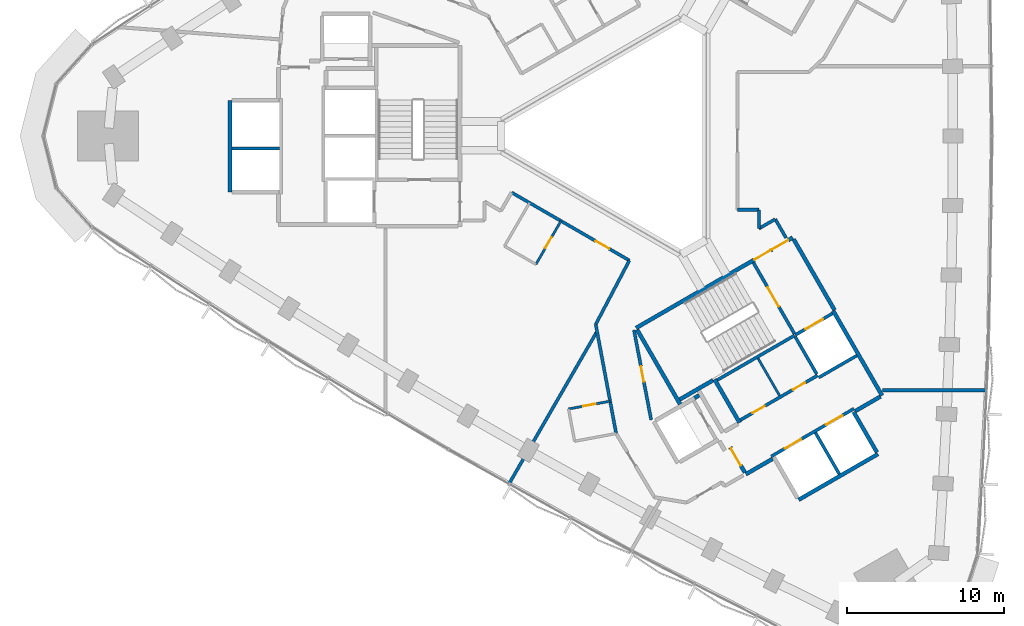
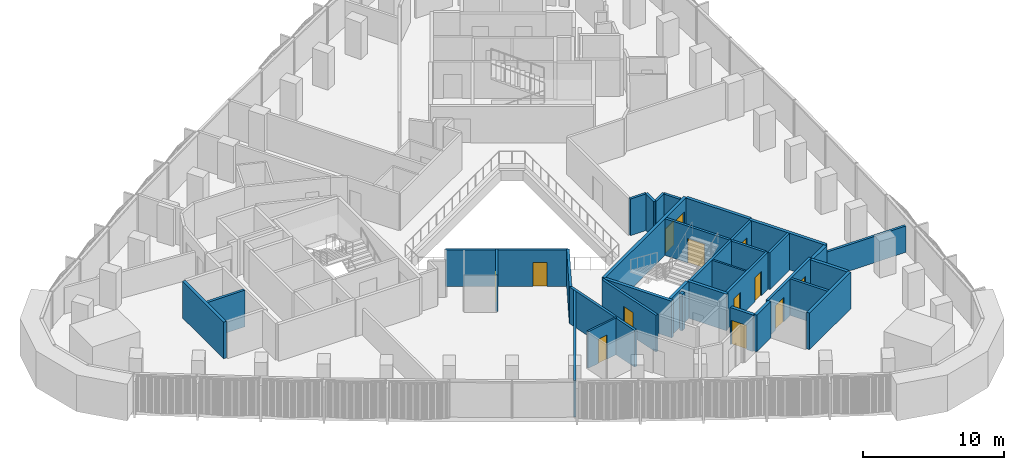
# One storey, part 8 of 15: 35 walls, 13 doors, 13 openings.
"""IFC4 building model written with IfcOpenShell, lengths in metres."""

from ifc_helpers import new_model, si_unit, direction, frame, frame_2d, origin, place, context, subcontext, project, spatial, rectangle, extrude, material, layer, layer_set, type_object, element, fill, save


model = new_model("IFC4")

# Units and contexts
model_context = context("Model", 3, precision=1e-05, world=origin(), true_north=direction((0.0, 1.0)))
body_context = subcontext(model_context, "Body", "Model", "MODEL_VIEW")
ifc_project = project(units=[si_unit("LENGTHUNIT", "METRE"), si_unit("AREAUNIT", "SQUARE_METRE"), si_unit("VOLUMEUNIT", "CUBIC_METRE"), si_unit("PLANEANGLEUNIT", "RADIAN"), si_unit("MASSUNIT", "GRAM", prefix="KILO")], contexts=[model_context])

# Site, building, storey
site_placement = place(None, origin())
site = spatial("IfcSite", under=ifc_project, at=site_placement, CompositionType="ELEMENT")
building_placement = place(site_placement, origin())
building = spatial("IfcBuilding", under=site, at=building_placement, Name="Tamra Quay Hotel Tower", CompositionType="ELEMENT")
storey_placement = place(building_placement, frame((0.0, 0.0, 108.199951171875)))
storey = spatial("IfcBuildingStorey", under=building, at=storey_placement, Name="L26", CompositionType="ELEMENT", Elevation=108.199951171875)

# Wall
ifc_material_1 = material(Name="Concrete M70", Category="concrete")
ifc_layer_1 = layer(ifc_material_1, 0.199951171875)
ifc_layer_set_1 = layer_set([ifc_layer_1], Name="Concrete M70 core wall 200")
wall_type_1 = type_object("IfcWallType", Name="Concrete M70 core wall 200", PredefinedType="SHEAR", material=ifc_layer_set_1)
wall_1_placement = place(storey_placement, frame((-22.36328125, -0.800048828125, 0.0), z_axis=(0.0, 0.0, 1.0), x_axis=(-1.0, 0.0, 0.0)))
element("IfcWall", 1, at=wall_1_placement, inside=storey, type_object=wall_type_1, Name="CW2", PredefinedType="SHEAR", context=body_context, shape_type="SweptSolid", body=[
    extrude(rectangle(XDim=3.048095703125, YDim=0.199951171875, at=frame_2d((1.52392578125, 0.0))), origin(), (0.0, 0.0, 1.0), 3.175048828125),
])

# Wall, openings, doors
wall_2_placement = place(storey_placement, frame((9.052490234375, -20.479736328125, 0.0), z_axis=(0.0, 0.0, 1.0), x_axis=(0.866030299012, 0.499991521122, 0.0)))
wall_2 = element("IfcWall", 2, at=wall_2_placement, inside=storey, type_object=wall_type_1, Name="CW2", PredefinedType="SHEAR", context=body_context, shape_type="SweptSolid", body=[
    extrude(rectangle(XDim=6.10009765625, YDim=0.199951171875, at=frame_2d((3.050048828125, 0.0))), origin(), (0.0, 0.0, 1.0), 3.175048828125),
])
opening_1_placement = place(wall_2_placement, frame((1.0, 0.0, 0.0)))
opening_1 = element("IfcOpeningElement", 3, at=opening_1_placement, cuts=wall_2, Name="Opening LD", PredefinedType="OPENING", context=body_context, shape_type="SweptSolid", body=[
    extrude(rectangle(XDim=1.199951171875, YDim=2.10009765625, at=frame_2d((0.60009765625, 1.050048828125))), frame((0.0, 0.10986328125, 0.0), z_axis=(0.0, -1.0, 0.0), x_axis=(1.0, 0.0, 0.0)), (0.0, 0.0, 1.0), 0.219970703125),
])
opening_2_placement = place(wall_2_placement, frame((4.05029296875, 0.0, 0.0)))
opening_2 = element("IfcOpeningElement", 4, at=opening_2_placement, cuts=wall_2, Name="Opening LD", PredefinedType="OPENING", context=body_context, shape_type="SweptSolid", body=[
    extrude(rectangle(XDim=1.199951171875, YDim=2.10009765625, at=frame_2d((0.60009765625, 1.050048828125))), frame((0.0, 0.10986328125, 0.0), z_axis=(0.0, -1.0, 0.0), x_axis=(1.0, 0.0, 0.0)), (0.0, 0.0, 1.0), 0.219970703125),
])
ifc_material_2 = material(Name="Landing door LD 1200 double door sliding")
door_type_1 = type_object("IfcDoorType", Name="Landing door LD 1200 double door sliding", OperationType="DOUBLE_DOOR_SLIDING", PredefinedType="DOOR", material=ifc_material_2)
door_1_placement = place(opening_1_placement, origin())
door_1 = element("IfcDoor", 5, at=door_1_placement, inside=storey, type_object=door_type_1, Name="LD", OperationType="DOUBLE_DOOR_SLIDING", OverallHeight=2.10009765625, OverallWidth=1.199951171875, PredefinedType="DOOR", context=body_context, shape_type="SweptSolid", body=[
    extrude(rectangle(XDim=1.199951171875, YDim=2.10009765625, at=frame_2d((0.60009765625, 1.050048828125))), frame((0.0, 0.02490234375, 0.0), z_axis=(0.0, -1.0, 0.0), x_axis=(1.0, 0.0, 0.0)), (0.0, 0.0, 1.0), 0.050048828125),
])
fill(opening_1, door_1)
door_2_placement = place(opening_2_placement, origin())
door_2 = element("IfcDoor", 6, at=door_2_placement, inside=storey, type_object=door_type_1, Name="LD", OperationType="DOUBLE_DOOR_SLIDING", OverallHeight=2.10009765625, OverallWidth=1.199951171875, PredefinedType="DOOR", context=body_context, shape_type="SweptSolid", body=[
    extrude(rectangle(XDim=1.199951171875, YDim=2.10009765625, at=frame_2d((0.60009765625, 1.050048828125))), frame((0.0, 0.02490234375, 0.0), z_axis=(0.0, -1.0, 0.0), x_axis=(1.0, 0.0, 0.0)), (0.0, 0.0, 1.0), 0.050048828125),
])
fill(opening_2, door_2)

# Wall
wall_3_placement = place(storey_placement, frame((10.537841796875, -12.751953125, 0.0), z_axis=(0.0, 0.0, 1.0), x_axis=(-0.866038630372, -0.499977090179, 0.0)))
element("IfcWall", 7, at=wall_3_placement, inside=storey, type_object=wall_type_1, Name="CW2", PredefinedType="SHEAR", context=body_context, shape_type="SweptSolid", body=[
    extrude(rectangle(XDim=5.698974609375, YDim=0.199951171875, at=frame_2d((2.849609375, 0.0))), origin(), (0.0, 0.0, 1.0), 3.175048828125),
])

# Wall, openings, doors
wall_4_placement = place(storey_placement, frame((7.0771484375, -18.156005859375, 0.0), z_axis=(0.0, 0.0, 1.0), x_axis=(0.866038630372, 0.499977090179, 0.0)))
wall_4 = element("IfcWall", 8, at=wall_4_placement, inside=storey, type_object=wall_type_1, Name="CW2", PredefinedType="SHEAR", context=body_context, shape_type="SweptSolid", body=[
    extrude(rectangle(XDim=5.698974609375, YDim=0.199951171875, at=frame_2d((2.849609375, 0.0))), origin(), (0.0, 0.0, 1.0), 3.175048828125),
])
opening_3_placement = place(wall_4_placement, frame((0.89892578125, 0.0, 0.0)))
opening_3 = element("IfcOpeningElement", 9, at=opening_3_placement, cuts=wall_4, Name="Opening D2", PredefinedType="OPENING", context=body_context, shape_type="SweptSolid", body=[
    extrude(rectangle(XDim=0.89990234375, YDim=2.10009765625, at=frame_2d((0.449951171875, 1.050048828125))), frame((0.0, 0.10986328125, 0.0), z_axis=(0.0, -1.0, 0.0), x_axis=(1.0, 0.0, 0.0)), (0.0, 0.0, 1.0), 0.219970703125),
])
opening_4_placement = place(wall_4_placement, frame((3.8740234375, 0.0, 0.0)))
opening_4 = element("IfcOpeningElement", 10, at=opening_4_placement, cuts=wall_4, Name="Opening D2", PredefinedType="OPENING", context=body_context, shape_type="SweptSolid", body=[
    extrude(rectangle(XDim=0.89990234375, YDim=2.10009765625, at=frame_2d((0.449951171875, 1.050048828125))), frame((0.0, 0.10986328125, 0.0), z_axis=(0.0, -1.0, 0.0), x_axis=(1.0, 0.0, 0.0)), (0.0, 0.0, 1.0), 0.219970703125),
])
ifc_material_3 = material(Name="Core door D2 900x2100 LH")
door_type_2 = type_object("IfcDoorType", Name="Core door D2 900x2100 LH", OperationType="NOTDEFINED", PredefinedType="DOOR", material=ifc_material_3)
door_3_placement = place(opening_3_placement, origin())
door_3 = element("IfcDoor", 11, at=door_3_placement, inside=storey, type_object=door_type_2, Name="D2", OperationType="SINGLE_SWING_LEFT", OverallHeight=2.10009765625, OverallWidth=0.89990234375, PredefinedType="DOOR", context=body_context, shape_type="SweptSolid", body=[
    extrude(rectangle(XDim=0.89990234375, YDim=2.10009765625, at=frame_2d((0.449951171875, 1.050048828125))), frame((0.0, 0.02490234375, 0.0), z_axis=(0.0, -1.0, 0.0), x_axis=(1.0, 0.0, 0.0)), (0.0, 0.0, 1.0), 0.050048828125),
])
fill(opening_3, door_3)
ifc_material_4 = material(Name="Core door D2 900x2100 RH")
door_type_3 = type_object("IfcDoorType", Name="Core door D2 900x2100 RH", OperationType="NOTDEFINED", PredefinedType="DOOR", material=ifc_material_4)
door_4_placement = place(opening_4_placement, origin())
door_4 = element("IfcDoor", 12, at=door_4_placement, inside=storey, type_object=door_type_3, Name="D2", OperationType="SINGLE_SWING_RIGHT", OverallHeight=2.10009765625, OverallWidth=0.89990234375, PredefinedType="DOOR", context=body_context, shape_type="SweptSolid", body=[
    extrude(rectangle(XDim=0.89990234375, YDim=2.10009765625, at=frame_2d((0.449951171875, 1.050048828125))), frame((0.0, 0.02490234375, 0.0), z_axis=(0.0, -1.0, 0.0), x_axis=(1.0, 0.0, 0.0)), (0.0, 0.0, 1.0), 0.050048828125),
])
fill(opening_4, door_4)

# Wall, opening, door
wall_5_placement = place(storey_placement, frame((7.906494140625, -8.094482421875, 0.0), z_axis=(0.0, 0.0, 1.0), x_axis=(0.500024287448, -0.866011380966, 0.0)))
wall_5 = element("IfcWall", 13, at=wall_5_placement, inside=storey, type_object=wall_type_1, Name="CW2", PredefinedType="SHEAR", context=body_context, shape_type="SweptSolid", body=[
    extrude(rectangle(XDim=5.251220703125, YDim=0.199951171875, at=frame_2d((2.62548828125, 0.0))), origin(), (0.0, 0.0, 1.0), 3.175048828125),
])
opening_5_placement = place(wall_5_placement, frame((1.84912109375, 0.0, 0.0)))
opening_5 = element("IfcOpeningElement", 14, at=opening_5_placement, cuts=wall_5, Name="Opening FD2", PredefinedType="OPENING", context=body_context, shape_type="SweptSolid", body=[
    extrude(rectangle(XDim=1.39990234375, YDim=2.10009765625, at=frame_2d((0.699951171875, 1.050048828125))), frame((0.0, 0.10986328125, 0.0), z_axis=(0.0, -1.0, 0.0), x_axis=(1.0, 0.0, 0.0)), (0.0, 0.0, 1.0), 0.219970703125),
])
ifc_material_5 = material(Name="Core door FD2 1400x2100 RH")
door_type_4 = type_object("IfcDoorType", Name="Core door FD2 1400x2100 RH", OperationType="NOTDEFINED", PredefinedType="DOOR", material=ifc_material_5)
door_5_placement = place(opening_5_placement, origin())
door_5 = element("IfcDoor", 15, at=door_5_placement, inside=storey, type_object=door_type_4, Name="FD2", OperationType="SINGLE_SWING_RIGHT", OverallHeight=2.10009765625, OverallWidth=1.39990234375, PredefinedType="DOOR", context=body_context, shape_type="SweptSolid", body=[
    extrude(rectangle(XDim=1.39990234375, YDim=2.10009765625, at=frame_2d((0.699951171875, 1.050048828125))), frame((0.0, 0.02490234375, 0.0), z_axis=(0.0, -1.0, 0.0), x_axis=(1.0, 0.0, 0.0)), (0.0, 0.0, 1.0), 0.050048828125),
])
fill(opening_5, door_5)

# Walls
wall_6_placement = place(storey_placement, frame((11.87451171875, -18.967041015625, 0.0), z_axis=(0.0, 0.0, 1.0), x_axis=(0.49998131003, -0.866036194175, 0.0)))
element("IfcWall", 16, at=wall_6_placement, inside=storey, type_object=wall_type_1, Name="CW2", PredefinedType="SHEAR", context=body_context, shape_type="SweptSolid", body=[
    extrude(rectangle(XDim=3.0478515625, YDim=0.199951171875, at=frame_2d((1.52392578125, 0.0))), origin(), (0.0, 0.0, 1.0), 3.175048828125),
])
wall_7_placement = place(storey_placement, frame((11.962646484375, -15.219970703125, 0.0), z_axis=(0.0, 0.0, 1.0), x_axis=(-0.500034990121, 0.866005201286, 0.0)))
element("IfcWall", 17, at=wall_7_placement, inside=storey, type_object=wall_type_1, Name="CW2", PredefinedType="SHEAR", context=body_context, shape_type="SweptSolid", body=[
    extrude(rectangle(XDim=2.749755859375, YDim=0.199951171875, at=frame_2d((1.375, 0.0))), origin(), (0.0, 0.0, 1.0), 3.175048828125),
])

# Wall, opening, door
wall_8_placement = place(storey_placement, frame((10.587158203125, -12.72314453125, 0.0), z_axis=(0.0, 0.0, 1.0), x_axis=(0.866037306777, 0.499979382845, 0.0)))
wall_8 = element("IfcWall", 18, at=wall_8_placement, inside=storey, type_object=wall_type_1, Name="CW2", PredefinedType="SHEAR", context=body_context, shape_type="SweptSolid", body=[
    extrude(rectangle(XDim=2.74169921875, YDim=0.199951171875, at=frame_2d((1.370849609375, 0.0))), origin(), (0.0, 0.0, 1.0), 3.175048828125),
])
opening_6_placement = place(wall_8_placement, frame((0.742919921875, 0.0, 0.0)))
opening_6 = element("IfcOpeningElement", 19, at=opening_6_placement, cuts=wall_8, Name="Opening LD", PredefinedType="OPENING", context=body_context, shape_type="SweptSolid", body=[
    extrude(rectangle(XDim=1.300048828125, YDim=2.10009765625, at=frame_2d((0.64990234375, 1.050048828125))), frame((0.0, 0.10986328125, 0.0), z_axis=(0.0, -1.0, 0.0), x_axis=(1.0, 0.0, 0.0)), (0.0, 0.0, 1.0), 0.219970703125),
])
ifc_material_6 = material(Name="Landing door LD 1300 sliding to right")
door_type_5 = type_object("IfcDoorType", Name="Landing door LD 1300 sliding to right", OperationType="NOTDEFINED", PredefinedType="DOOR", material=ifc_material_6)
door_6_placement = place(opening_6_placement, origin())
door_6 = element("IfcDoor", 20, at=door_6_placement, inside=storey, type_object=door_type_5, Name="LD", OperationType="SLIDING_TO_RIGHT", OverallHeight=2.10009765625, OverallWidth=1.300048828125, PredefinedType="DOOR", context=body_context, shape_type="SweptSolid", body=[
    extrude(rectangle(XDim=1.300048828125, YDim=2.10009765625, at=frame_2d((0.64990234375, 1.050048828125))), frame((0.0, 0.02490234375, 0.0), z_axis=(0.0, -1.0, 0.0), x_axis=(1.0, 0.0, 0.0)), (0.0, 0.0, 1.0), 0.050048828125),
])
fill(opening_6, door_6)

# Walls
wall_9_placement = place(storey_placement, frame((14.51171875, -14.037109375, 0.0), z_axis=(0.0, 0.0, 1.0), x_axis=(-0.866044696403, -0.499966582715, 0.0)))
element("IfcWall", 21, at=wall_9_placement, inside=storey, type_object=wall_type_1, Name="CW2", PredefinedType="SHEAR", context=body_context, shape_type="SweptSolid", body=[
    extrude(rectangle(XDim=2.799072265625, YDim=0.199951171875, at=frame_2d((1.3994140625, 0.0))), origin(), (0.0, 0.0, 1.0), 3.175048828125),
])
ifc_layer_2 = layer(ifc_material_1, 0.25)
ifc_layer_set_2 = layer_set([ifc_layer_2], Name="Concrete M70 core wall 250")
wall_type_2 = type_object("IfcWallType", Name="Concrete M70 core wall 250", PredefinedType="SHEAR", material=ifc_layer_set_2)
wall_10_placement = place(storey_placement, frame((-25.537353515625, -3.574951171875, 0.0), z_axis=(0.0, 0.0, 1.0), x_axis=(0.0, 1.0, 0.0)))
element("IfcWall", 22, at=wall_10_placement, inside=storey, type_object=wall_type_2, Name="CW1", PredefinedType="SHEAR", context=body_context, shape_type="SweptSolid", body=[
    extrude(rectangle(XDim=5.849853515625, YDim=0.25, at=frame_2d((2.9248046875, 0.0))), origin(), (0.0, 0.0, 1.0), 3.175048828125),
])

# Wall, openings, doors
wall_11_placement = place(storey_placement, frame((0.417236328125, -12.27294921875, 0.0), z_axis=(0.0, 0.0, 1.0), x_axis=(0.866021906294, 0.500006057782, 0.0)))
wall_11 = element("IfcWall", 23, at=wall_11_placement, inside=storey, type_object=wall_type_2, Name="CW1", PredefinedType="SHEAR", context=body_context, shape_type="SweptSolid", body=[
    extrude(rectangle(XDim=11.550048828125, YDim=0.25, at=frame_2d((5.77490234375, 0.0))), origin(), (0.0, 0.0, 1.0), 3.175048828125),
])
opening_7_placement = place(wall_11_placement, frame((10.024658203125, 0.0, 0.0)))
opening_7 = element("IfcOpeningElement", 24, at=opening_7_placement, cuts=wall_11, Name="Opening FD1", PredefinedType="OPENING", context=body_context, shape_type="SweptSolid", body=[
    extrude(rectangle(XDim=1.199951171875, YDim=2.10009765625, at=frame_2d((0.60009765625, 1.050048828125))), frame((0.0, 0.135009765625, 0.0), z_axis=(0.0, -1.0, 0.0), x_axis=(1.0, 0.0, 0.0)), (0.0, 0.0, 1.0), 0.27001953125),
])
opening_8_placement = place(wall_11_placement, frame((8.724609375, 0.0, 0.0)))
opening_8 = element("IfcOpeningElement", 25, at=opening_8_placement, cuts=wall_11, Name="Opening FD1", PredefinedType="OPENING", context=body_context, shape_type="SweptSolid", body=[
    extrude(rectangle(XDim=1.199951171875, YDim=2.10009765625, at=frame_2d((0.60009765625, 1.050048828125))), frame((0.0, 0.135009765625, 0.0), z_axis=(0.0, -1.0, 0.0), x_axis=(1.0, 0.0, 0.0)), (0.0, 0.0, 1.0), 0.27001953125),
])
ifc_material_7 = material(Name="Core door FD1 1200x2100 LH")
door_type_6 = type_object("IfcDoorType", Name="Core door FD1 1200x2100 LH", OperationType="NOTDEFINED", PredefinedType="DOOR", material=ifc_material_7)
door_7_placement = place(opening_7_placement, origin())
door_7 = element("IfcDoor", 26, at=door_7_placement, inside=storey, type_object=door_type_6, Name="FD1", OperationType="SINGLE_SWING_LEFT", OverallHeight=2.10009765625, OverallWidth=1.199951171875, PredefinedType="DOOR", context=body_context, shape_type="SweptSolid", body=[
    extrude(rectangle(XDim=1.199951171875, YDim=2.10009765625, at=frame_2d((0.60009765625, 1.050048828125))), frame((0.0, 0.02490234375, 0.0), z_axis=(0.0, -1.0, 0.0), x_axis=(1.0, 0.0, 0.0)), (0.0, 0.0, 1.0), 0.050048828125),
])
fill(opening_7, door_7)
ifc_material_8 = material(Name="Core door FD1 1200x2100 RH")
door_type_7 = type_object("IfcDoorType", Name="Core door FD1 1200x2100 RH", OperationType="NOTDEFINED", PredefinedType="DOOR", material=ifc_material_8)
door_8_placement = place(opening_8_placement, origin())
door_8 = element("IfcDoor", 27, at=door_8_placement, inside=storey, type_object=door_type_7, Name="FD1", OperationType="SINGLE_SWING_RIGHT", OverallHeight=2.10009765625, OverallWidth=1.199951171875, PredefinedType="DOOR", context=body_context, shape_type="SweptSolid", body=[
    extrude(rectangle(XDim=1.199951171875, YDim=2.10009765625, at=frame_2d((0.60009765625, 1.050048828125))), frame((0.0, 0.02490234375, 0.0), z_axis=(0.0, -1.0, 0.0), x_axis=(1.0, 0.0, 0.0)), (0.0, 0.0, 1.0), 0.050048828125),
])
fill(opening_8, door_8)

# Walls
wall_12_placement = place(storey_placement, frame((13.00830078125, -11.18115234375, 0.0), z_axis=(0.0, 0.0, 1.0), x_axis=(0.500004234368, -0.866022959057, 0.0)))
element("IfcWall", 28, at=wall_12_placement, inside=storey, type_object=wall_type_2, Name="CW1", PredefinedType="SHEAR", context=body_context, shape_type="SweptSolid", body=[
    extrude(rectangle(XDim=6.25, YDim=0.25, at=frame_2d((3.125, 0.0))), origin(), (0.0, 0.0, 1.0), 3.175048828125),
])
wall_13_placement = place(storey_placement, frame((15.86474609375, -20.328369140625, 0.0), z_axis=(0.0, 0.0, 1.0), x_axis=(-0.86602852612, -0.499994591916, 0.0)))
element("IfcWall", 29, at=wall_13_placement, inside=storey, type_object=wall_type_2, Name="CW1", PredefinedType="SHEAR", context=body_context, shape_type="SweptSolid", body=[
    extrude(rectangle(XDim=5.85009765625, YDim=0.25, at=frame_2d((2.925048828125, 0.0))), origin(), (0.0, 0.0, 1.0), 3.175048828125),
])
wall_14_placement = place(storey_placement, frame((3.23486328125, -17.15283203125, 0.0), z_axis=(0.0, 0.0, 1.0), x_axis=(-0.500008851346, 0.866020293397, 0.0)))
element("IfcWall", 30, at=wall_14_placement, inside=storey, type_object=wall_type_2, Name="CW1", PredefinedType="SHEAR", context=body_context, shape_type="SweptSolid", body=[
    extrude(rectangle(XDim=5.509765625, YDim=0.25, at=frame_2d((2.7548828125, 0.0))), origin(), (0.0, 0.0, 1.0), 3.175048828125),
])
wall_15_placement = place(storey_placement, frame((10.482666015625, -6.6064453125, 0.0), z_axis=(0.0, 0.0, 1.0), x_axis=(0.49999885962, -0.866026062182, 0.0)))
element("IfcWall", 31, at=wall_15_placement, inside=storey, type_object=wall_type_2, Name="CW1", PredefinedType="SHEAR", context=body_context, shape_type="SweptSolid", body=[
    extrude(rectangle(XDim=5.224609375, YDim=0.25, at=frame_2d((2.6123046875, 0.0))), origin(), (0.0, 0.0, 1.0), 3.175048828125),
])
wall_16_placement = place(storey_placement, frame((7.030517578125, -18.327392578125, 0.0), z_axis=(0.0, 0.0, 1.0), x_axis=(-0.499971222258, 0.866042017984, 0.0)))
element("IfcWall", 32, at=wall_16_placement, inside=storey, type_object=wall_type_2, Name="CW1", PredefinedType="SHEAR", context=body_context, shape_type="SweptSolid", body=[
    extrude(rectangle(XDim=3.199951171875, YDim=0.25, at=frame_2d((1.60009765625, 0.0))), origin(), (0.0, 0.0, 1.0), 3.175048828125),
])
wall_17_placement = place(storey_placement, frame((14.314697265625, -17.643798828125, 0.0), z_axis=(0.0, 0.0, 1.0), x_axis=(0.500023226632, -0.866011993467, 0.0)))
element("IfcWall", 33, at=wall_17_placement, inside=storey, type_object=wall_type_2, Name="CW1", PredefinedType="SHEAR", context=body_context, shape_type="SweptSolid", body=[
    extrude(rectangle(XDim=2.974365234375, YDim=0.25, at=frame_2d((1.4873046875, 0.0))), origin(), (0.0, 0.0, 1.0), 3.175048828125),
])
wall_18_placement = place(storey_placement, frame((5.322021484375, -15.618896484375, 0.0), z_axis=(0.0, 0.0, 1.0), x_axis=(-0.866026229868, -0.499998569178, 0.0)))
element("IfcWall", 34, at=wall_18_placement, inside=storey, type_object=wall_type_2, Name="CW1", PredefinedType="SHEAR", context=body_context, shape_type="SweptSolid", body=[
    extrude(rectangle(XDim=2.44921875, YDim=0.25, at=frame_2d((1.224609375, 0.0))), origin(), (0.0, 0.0, 1.0), 3.175048828125),
])
wall_19_placement = place(storey_placement, frame((9.139892578125, -20.63134765625, 0.0), z_axis=(0.0, 0.0, 1.0), x_axis=(-0.866043531843, -0.499968599967, 0.0)))
element("IfcWall", 35, at=wall_19_placement, inside=storey, type_object=wall_type_2, Name="CW1", PredefinedType="SHEAR", context=body_context, shape_type="SweptSolid", body=[
    extrude(rectangle(XDim=1.974853515625, YDim=0.25, at=frame_2d((0.9873046875, 0.0))), origin(), (0.0, 0.0, 1.0), 3.175048828125),
])
wall_20_placement = place(storey_placement, frame((16.024658203125, -16.656494140625, 0.0), z_axis=(0.0, 0.0, 1.0), x_axis=(-0.866016279763, -0.500015802937, 0.0)))
element("IfcWall", 36, at=wall_20_placement, inside=storey, type_object=wall_type_2, Name="CW1", PredefinedType="SHEAR", context=body_context, shape_type="SweptSolid", body=[
    extrude(rectangle(XDim=1.84912109375, YDim=0.25, at=frame_2d((0.924560546875, 0.0))), origin(), (0.0, 0.0, 1.0), 3.175048828125),
])

# Wall, opening, door
wall_21_placement = place(storey_placement, frame((7.3671875, -21.51025390625, 0.0), z_axis=(0.0, 0.0, 1.0), x_axis=(-0.499983108224, 0.866035156036, 0.0)))
wall_21 = element("IfcWall", 37, at=wall_21_placement, inside=storey, type_object=wall_type_2, Name="CW1", PredefinedType="SHEAR", context=body_context, shape_type="SweptSolid", body=[
    extrude(rectangle(XDim=1.86474609375, YDim=0.25, at=frame_2d((0.932373046875, 0.0))), origin(), (0.0, 0.0, 1.0), 3.175048828125),
])
opening_9_placement = place(wall_21_placement, frame((0.53466796875, 0.0, 0.0)))
opening_9 = element("IfcOpeningElement", 38, at=opening_9_placement, cuts=wall_21, Name="Opening FD3", PredefinedType="OPENING", context=body_context, shape_type="SweptSolid", body=[
    extrude(rectangle(XDim=1.25, YDim=2.10009765625, at=frame_2d((0.625, 1.050048828125))), frame((0.0, 0.135009765625, 0.0), z_axis=(0.0, -1.0, 0.0), x_axis=(1.0, 0.0, 0.0)), (0.0, 0.0, 1.0), 0.27001953125),
])
ifc_material_9 = material(Name="Core door FD3 1250x2100 LH")
door_type_8 = type_object("IfcDoorType", Name="Core door FD3 1250x2100 LH", OperationType="NOTDEFINED", PredefinedType="DOOR", material=ifc_material_9)
door_9_placement = place(opening_9_placement, origin())
door_9 = element("IfcDoor", 39, at=door_9_placement, inside=storey, type_object=door_type_8, Name="FD3", OperationType="SINGLE_SWING_LEFT", OverallHeight=2.10009765625, OverallWidth=1.25, PredefinedType="DOOR", context=body_context, shape_type="SweptSolid", body=[
    extrude(rectangle(XDim=1.25, YDim=2.10009765625, at=frame_2d((0.625, 1.050048828125))), frame((0.0, 0.02490234375, 0.0), z_axis=(0.0, -1.0, 0.0), x_axis=(1.0, 0.0, 0.0)), (0.0, 0.0, 1.0), 0.050048828125),
])
fill(opening_9, door_9)

# Walls
wall_22_placement = place(storey_placement, frame((4.144775390625, -16.748779296875, 0.0), z_axis=(0.0, 0.0, 1.0), x_axis=(0.866185586049, 0.49972245349, 0.0)))
element("IfcWall", 40, at=wall_22_placement, inside=storey, type_object=wall_type_2, Name="CW1", PredefinedType="SHEAR", context=body_context, shape_type="SweptSolid", body=[
    extrude(rectangle(XDim=0.344482421875, YDim=0.25, at=frame_2d((0.17236328125, 0.0))), origin(), (0.0, 0.0, 1.0), 3.175048828125),
])
ifc_material_10 = material(Name="Blockwork", Category="masonry")
ifc_layer_3 = layer(ifc_material_10, 0.14990234375)
ifc_layer_set_3 = layer_set([ifc_layer_3], Name="Core partition block 150")
wall_type_3 = type_object("IfcWallType", Name="Core partition block 150", PredefinedType="PARTITIONING", material=ifc_layer_set_3)
wall_23_placement = place(storey_placement, frame((8.20654296875, -14.214111328125, 0.0), z_axis=(0.0, 0.0, 1.0), x_axis=(0.50002746344, -0.86600954718, 0.0)))
element("IfcWall", 41, at=wall_23_placement, inside=storey, type_object=wall_type_3, Name="CP1", PredefinedType="PARTITIONING", context=body_context, shape_type="SweptSolid", body=[
    extrude(rectangle(XDim=2.748291015625, YDim=0.14990234375, at=frame_2d((1.3740234375, 0.0))), origin(), (0.0, 0.0, 1.0), 3.175048828125),
])

# Wall, opening, door
ifc_material_11 = material(Name="Partition corridor wall")
ifc_layer_4 = layer(ifc_material_11, 0.199951171875)
ifc_layer_set_4 = layer_set([ifc_layer_4], Name="Partition corridor wall")
wall_type_4 = type_object("IfcWallType", Name="Partition corridor wall", PredefinedType="PARTITIONING", material=ifc_layer_set_4)
wall_24_placement = place(storey_placement, frame((-7.539306640625, -3.61572265625, 0.0), z_axis=(0.0, 0.0, 1.0), x_axis=(0.866101372471, -0.499868395285, 0.0)))
wall_24 = element("IfcWall", 42, at=wall_24_placement, inside=storey, type_object=wall_type_4, Name="W-C", PredefinedType="PARTITIONING", context=body_context, shape_type="SweptSolid", body=[
    extrude(rectangle(XDim=8.688720703125, YDim=0.199951171875, at=frame_2d((4.34423828125, 0.0))), origin(), (0.0, 0.0, 1.0), 3.175048828125),
])
opening_10_placement = place(wall_24_placement, frame((6.203125, 0.0, 0.0)))
opening_10 = element("IfcOpeningElement", 43, at=opening_10_placement, cuts=wall_24, Name="Opening L26-D013", PredefinedType="OPENING", context=body_context, shape_type="SweptSolid", body=[
    extrude(rectangle(XDim=1.0, YDim=2.10009765625, at=frame_2d((0.5, 1.050048828125))), frame((0.0, 0.10986328125, 0.0), z_axis=(0.0, -1.0, 0.0), x_axis=(1.0, 0.0, 0.0)), (0.0, 0.0, 1.0), 0.219970703125),
])
ifc_material_12 = material(Name="Door guest room 1000x2100")
door_type_9 = type_object("IfcDoorType", Name="Door guest room 1000x2100", OperationType="NOTDEFINED", PredefinedType="DOOR", material=ifc_material_12)
door_10_placement = place(opening_10_placement, frame((1.0, 0.0, 0.0), z_axis=(0.0, 0.0, 1.0), x_axis=(-1.0, 0.0, 0.0)))
door_10 = element("IfcDoor", 44, at=door_10_placement, inside=storey, type_object=door_type_9, Name="L26-D013", OperationType="SINGLE_SWING_LEFT", OverallHeight=2.10009765625, OverallWidth=1.0, PredefinedType="DOOR", context=body_context, shape_type="SweptSolid", body=[
    extrude(rectangle(XDim=1.0, YDim=2.10009765625, at=frame_2d((0.5, 1.050048828125))), frame((0.0, 0.02490234375, 0.0), z_axis=(0.0, -1.0, 0.0), x_axis=(1.0, 0.0, 0.0)), (0.0, 0.0, 1.0), 0.050048828125),
])
fill(opening_10, door_10)

# Walls
wall_25_placement = place(storey_placement, frame((-2.162109375, -12.0419921875, 0.0), z_axis=(0.0, 0.0, 1.0), x_axis=(0.183916574427, -0.982941856699, 0.0)))
element("IfcWall", 45, at=wall_25_placement, inside=storey, type_object=wall_type_4, Name="W-C", PredefinedType="PARTITIONING", context=body_context, shape_type="SweptSolid", body=[
    extrude(rectangle(XDim=7.093994140625, YDim=0.199951171875, at=frame_2d((3.546875, 0.0))), origin(), (0.0, 0.0, 1.0), 3.175048828125),
])
wall_26_placement = place(storey_placement, frame((-2.162109375, -12.041015625, 0.0), z_axis=(0.0, 0.0, 1.0), x_axis=(0.465704986205, 0.884940035157, 0.0)))
element("IfcWall", 46, at=wall_26_placement, inside=storey, type_object=wall_type_4, Name="W-C", PredefinedType="PARTITIONING", context=body_context, shape_type="SweptSolid", body=[
    extrude(rectangle(XDim=4.61279296875, YDim=0.199951171875, at=frame_2d((2.306396484375, 0.0))), origin(), (0.0, 0.0, 1.0), 3.175048828125),
])

# Wall, opening, door
wall_27_placement = place(storey_placement, frame((0.28076171875, -12.40625, 0.0), z_axis=(0.0, 0.0, 1.0), x_axis=(0.187814940093, -0.982204433037, 0.0)))
wall_27 = element("IfcWall", 47, at=wall_27_placement, inside=storey, type_object=wall_type_4, Name="W-C", PredefinedType="PARTITIONING", context=body_context, shape_type="SweptSolid", body=[
    extrude(rectangle(XDim=5.841796875, YDim=0.199951171875, at=frame_2d((2.9208984375, 0.0))), origin(), (0.0, 0.0, 1.0), 3.175048828125),
])
opening_11_placement = place(wall_27_placement, frame((2.36328125, 0.0, 0.0)))
opening_11 = element("IfcOpeningElement", 48, at=opening_11_placement, cuts=wall_27, Name="Opening L26-D015", PredefinedType="OPENING", context=body_context, shape_type="SweptSolid", body=[
    extrude(rectangle(XDim=1.0, YDim=2.10009765625, at=frame_2d((0.5, 1.050048828125))), frame((0.0, 0.10986328125, 0.0), z_axis=(0.0, -1.0, 0.0), x_axis=(1.0, 0.0, 0.0)), (0.0, 0.0, 1.0), 0.219970703125),
])
door_11_placement = place(opening_11_placement, origin())
door_11 = element("IfcDoor", 49, at=door_11_placement, inside=storey, type_object=door_type_9, Name="L26-D015", OperationType="SINGLE_SWING_LEFT", OverallHeight=2.10009765625, OverallWidth=1.0, PredefinedType="DOOR", context=body_context, shape_type="SweptSolid", body=[
    extrude(rectangle(XDim=1.0, YDim=2.10009765625, at=frame_2d((0.5, 1.050048828125))), frame((0.0, 0.02490234375, 0.0), z_axis=(0.0, -1.0, 0.0), x_axis=(1.0, 0.0, 0.0)), (0.0, 0.0, 1.0), 0.050048828125),
])
fill(opening_11, door_11)

# Walls
wall_28_placement = place(storey_placement, frame((6.89990234375, -4.720947265625, 0.0), z_axis=(0.0, 0.0, 1.0), x_axis=(1.0, 0.0, 0.0)))
element("IfcWall", 50, at=wall_28_placement, inside=storey, type_object=wall_type_4, Name="W-C", PredefinedType="PARTITIONING", context=body_context, shape_type="SweptSolid", body=[
    extrude(rectangle(XDim=1.3681640625, YDim=0.199951171875, at=frame_2d((0.68408203125, 0.0))), origin(), (0.0, 0.0, 1.0), 3.175048828125),
])
wall_29_placement = place(storey_placement, frame((8.26806640625, -5.9208984375, 0.0), z_axis=(0.0, 0.0, 1.0), x_axis=(0.0, 1.0, 0.0)))
element("IfcWall", 51, at=wall_29_placement, inside=storey, type_object=wall_type_4, Name="W-C", PredefinedType="PARTITIONING", context=body_context, shape_type="SweptSolid", body=[
    extrude(rectangle(XDim=1.199951171875, YDim=0.199951171875, at=frame_2d((0.60009765625, 0.0))), origin(), (0.0, 0.0, 1.0), 3.175048828125),
])
wall_30_placement = place(storey_placement, frame((8.26806640625, -5.9208984375, 0.0), z_axis=(0.0, 0.0, 1.0), x_axis=(0.866344856625, 0.499446282797, 0.0)))
element("IfcWall", 52, at=wall_30_placement, inside=storey, type_object=wall_type_4, Name="W-C", PredefinedType="PARTITIONING", context=body_context, shape_type="SweptSolid", body=[
    extrude(rectangle(XDim=1.198974609375, YDim=0.199951171875, at=frame_2d((0.599609375, 0.0))), origin(), (0.0, 0.0, 1.0), 3.175048828125),
])
wall_31_placement = place(storey_placement, frame((9.306884765625, -5.322021484375, 0.0), z_axis=(0.0, 0.0, 1.0), x_axis=(0.500295157811, -0.865854927266, 0.0)))
element("IfcWall", 53, at=wall_31_placement, inside=storey, type_object=wall_type_4, Name="W-C", PredefinedType="PARTITIONING", context=body_context, shape_type="SweptSolid", body=[
    extrude(rectangle(XDim=1.389892578125, YDim=0.199951171875, at=frame_2d((0.69482421875, 0.0))), origin(), (0.0, 0.0, 1.0), 3.175048828125),
])

# Wall, opening, door
ifc_material_13 = material(Name="Partition en-suite wall")
ifc_layer_5 = layer(ifc_material_13, 0.14990234375)
ifc_layer_set_5 = layer_set([ifc_layer_5], Name="Partition en-suite wall")
wall_type_5 = type_object("IfcWallType", Name="Partition en-suite wall", PredefinedType="PARTITIONING", material=ifc_layer_set_5)
wall_32_placement = place(storey_placement, frame((-5.97998046875, -8.2041015625, 0.0), z_axis=(0.0, 0.0, 1.0), x_axis=(0.499554641592, 0.866282378941, 0.0)))
wall_32 = element("IfcWall", 54, at=wall_32_placement, inside=storey, type_object=wall_type_5, Name="W-E", PredefinedType="PARTITIONING", context=body_context, shape_type="SweptSolid", body=[
    extrude(rectangle(XDim=3.19091796875, YDim=0.14990234375, at=frame_2d((1.595458984375, 0.0))), origin(), (0.0, 0.0, 1.0), 3.175048828125),
])
opening_12_placement = place(wall_32_placement, frame((1.195068359375, 0.0, 0.0)))
opening_12 = element("IfcOpeningElement", 55, at=opening_12_placement, cuts=wall_32, Name="Opening L26-D014", PredefinedType="OPENING", context=body_context, shape_type="SweptSolid", body=[
    extrude(rectangle(XDim=0.800048828125, YDim=2.10009765625, at=frame_2d((0.39990234375, 1.050048828125))), frame((0.0, 0.0849609375, 0.0), z_axis=(0.0, -1.0, 0.0), x_axis=(1.0, 0.0, 0.0)), (0.0, 0.0, 1.0), 0.169921875),
])
ifc_material_14 = material(Name="Door en-suite 800x2100")
door_type_10 = type_object("IfcDoorType", Name="Door en-suite 800x2100", OperationType="NOTDEFINED", PredefinedType="DOOR", material=ifc_material_14)
door_12_placement = place(opening_12_placement, frame((0.800048828125, 0.0, 0.0), z_axis=(0.0, 0.0, 1.0), x_axis=(-1.0, 0.0, 0.0)))
door_12 = element("IfcDoor", 56, at=door_12_placement, inside=storey, type_object=door_type_10, Name="L26-D014", OperationType="SINGLE_SWING_LEFT", OverallHeight=2.10009765625, OverallWidth=0.800048828125, PredefinedType="DOOR", context=body_context, shape_type="SweptSolid", body=[
    extrude(rectangle(XDim=0.800048828125, YDim=2.10009765625, at=frame_2d((0.39990234375, 1.050048828125))), frame((0.0, 0.02490234375, 0.0), z_axis=(0.0, -1.0, 0.0), x_axis=(1.0, 0.0, 0.0)), (0.0, 0.0, 1.0), 0.050048828125),
])
fill(opening_12, door_12)

wall_33_placement = place(storey_placement, frame((-3.89599609375, -17.447021484375, 0.0), z_axis=(0.0, 0.0, 1.0), x_axis=(0.982935667801, 0.183949647907, 0.0)))
wall_33 = element("IfcWall", 57, at=wall_33_placement, inside=storey, type_object=wall_type_5, Name="W-E", PredefinedType="PARTITIONING", context=body_context, shape_type="SweptSolid", body=[
    extrude(rectangle(XDim=2.697021484375, YDim=0.14990234375, at=frame_2d((1.3486328125, 0.0))), origin(), (0.0, 0.0, 1.0), 3.175048828125),
])
opening_13_placement = place(wall_33_placement, frame((0.947998046875, 0.0, 0.0)))
opening_13 = element("IfcOpeningElement", 58, at=opening_13_placement, cuts=wall_33, Name="Opening L26-D017", PredefinedType="OPENING", context=body_context, shape_type="SweptSolid", body=[
    extrude(rectangle(XDim=0.800048828125, YDim=2.10009765625, at=frame_2d((0.39990234375, 1.050048828125))), frame((0.0, 0.0849609375, 0.0), z_axis=(0.0, -1.0, 0.0), x_axis=(1.0, 0.0, 0.0)), (0.0, 0.0, 1.0), 0.169921875),
])
door_13_placement = place(opening_13_placement, frame((0.800048828125, 0.0, 0.0), z_axis=(0.0, 0.0, 1.0), x_axis=(-1.0, 0.0, 0.0)))
door_13 = element("IfcDoor", 59, at=door_13_placement, inside=storey, type_object=door_type_10, Name="L26-D017", OperationType="SINGLE_SWING_LEFT", OverallHeight=2.10009765625, OverallWidth=0.800048828125, PredefinedType="DOOR", context=body_context, shape_type="SweptSolid", body=[
    extrude(rectangle(XDim=0.800048828125, YDim=2.10009765625, at=frame_2d((0.39990234375, 1.050048828125))), frame((0.0, 0.02490234375, 0.0), z_axis=(0.0, -1.0, 0.0), x_axis=(1.0, 0.0, 0.0)), (0.0, 0.0, 1.0), 0.050048828125),
])
fill(opening_13, door_13)

# Walls
ifc_material_15 = material(Name="Partition party wall")
ifc_layer_6 = layer(ifc_material_15, 0.199951171875)
ifc_layer_set_6 = layer_set([ifc_layer_6], Name="Partition party wall")
wall_type_6 = type_object("IfcWallType", Name="Partition party wall", PredefinedType="PARTITIONING", material=ifc_layer_set_6)
wall_34_placement = place(storey_placement, frame((-7.70703125, -22.240478515625, 0.0), z_axis=(0.0, 0.0, 1.0), x_axis=(0.499942683644, 0.866058492869, 0.0)))
element("IfcWall", 60, at=wall_34_placement, inside=storey, type_object=wall_type_6, Name="W-P", PredefinedType="PARTITIONING", context=body_context, shape_type="SweptSolid", body=[
    extrude(rectangle(XDim=11.259521484375, YDim=0.199951171875, at=frame_2d((5.6298828125, 0.0))), origin(), (0.0, 0.0, 1.0), 3.175048828125),
])
wall_35_placement = place(storey_placement, frame((16.14794921875, -16.2490234375, 0.0), z_axis=(0.0, 0.0, 1.0), x_axis=(1.0, 0.0, 0.0)))
element("IfcWall", 61, at=wall_35_placement, inside=storey, type_object=wall_type_6, Name="W-P", PredefinedType="PARTITIONING", context=body_context, shape_type="SweptSolid", body=[
    extrude(rectangle(XDim=6.648681640625, YDim=0.199951171875, at=frame_2d((3.32421875, 0.0))), origin(), (0.0, 0.0, 1.0), 2.275146484375),
])

save(model, "model.ifc")
